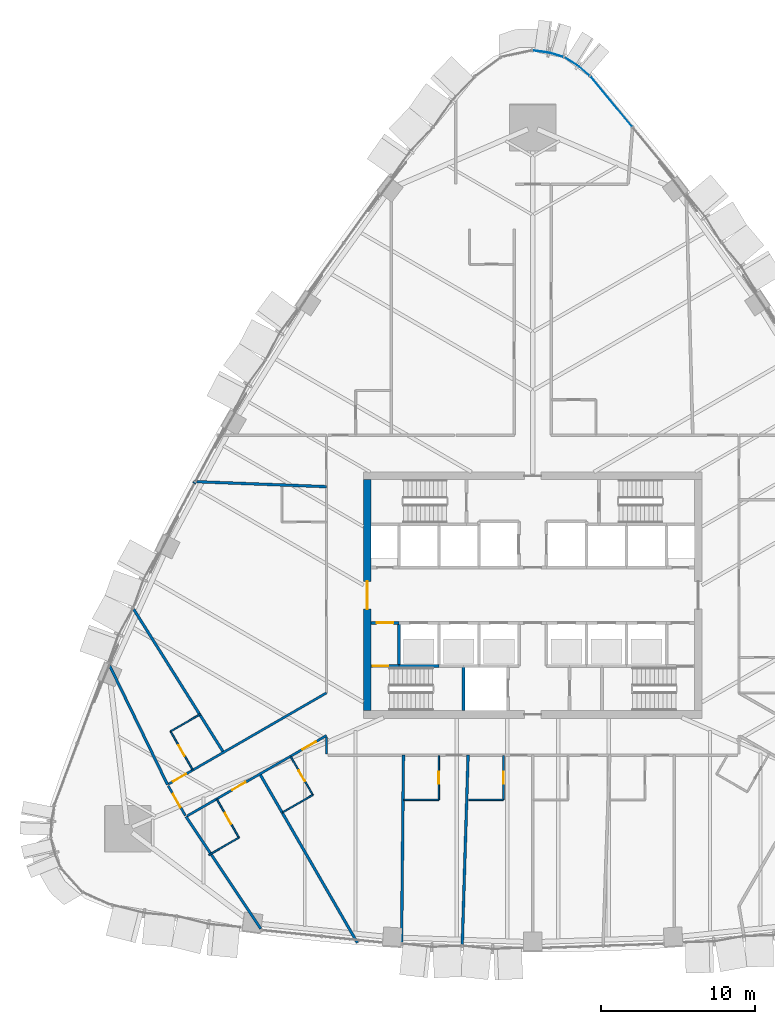
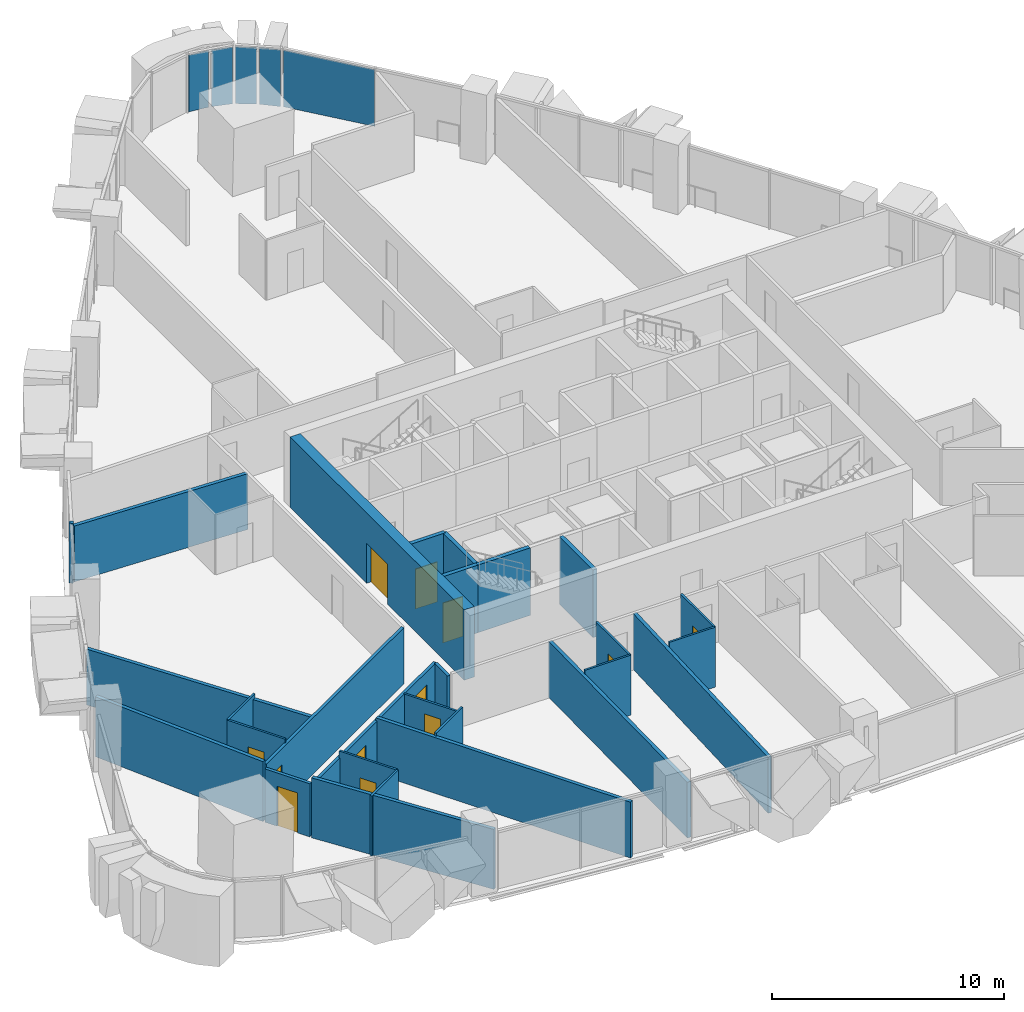
# One storey, part 11 of 19: 28 walls, 12 doors, 5 plates, 12 openings, 3 elements without a shape of their own.
"""IFC4 building model written with IfcOpenShell, lengths in metres."""

from ifc_helpers import new_model, si_unit, direction, frame, frame_2d, origin, origin_2d, place, context, subcontext, project, spatial, polyline, rectangle, outline, extrude, material, layer, layer_set, type_object, element, fill, aggregate, save


model = new_model("IFC4")

# Units and contexts
model_context = context("Model", 3, precision=1e-05, world=origin(), true_north=direction((0.0, 1.0)))
body_context = subcontext(model_context, "Body", "Model", "MODEL_VIEW")
ifc_project = project(units=[si_unit("LENGTHUNIT", "METRE"), si_unit("AREAUNIT", "SQUARE_METRE"), si_unit("VOLUMEUNIT", "CUBIC_METRE"), si_unit("PLANEANGLEUNIT", "RADIAN"), si_unit("MASSUNIT", "GRAM", prefix="KILO")], contexts=[model_context])

# Site, building, storey
site_placement = place(None, origin())
site = spatial("IfcSite", under=ifc_project, at=site_placement, CompositionType="ELEMENT")
building_placement = place(site_placement, origin())
building = spatial("IfcBuilding", under=site, at=building_placement, Name="Sierra Prisma Convention Tower", CompositionType="ELEMENT")
storey_placement = place(building_placement, frame((0.0, 0.0, 77.60009765625)))
storey = spatial("IfcBuildingStorey", under=building, at=storey_placement, Name="L15", CompositionType="ELEMENT", Elevation=77.60009765625)

# Curtain wall, plate
ifc_material_1 = material(Name="Aluminium and glass curtain wall", Category="aluminium")
ifc_layer_1 = layer(ifc_material_1, 0.179931640625)
ifc_layer_set_1 = layer_set([ifc_layer_1], Name="CW-1 Plain shaft curtain wall")
curtain_wall_type_1 = type_object("IfcCurtainWallType", Name="CW-1 Plain shaft curtain wall", PredefinedType="NOTDEFINED", material=ifc_layer_set_1)
curtain_wall_1_placement = place(storey_placement, origin())
curtain_wall_1 = element("IfcCurtainWall", 1, at=curtain_wall_1_placement, inside=storey, type_object=curtain_wall_type_1, Name="CW-1 NE6 L15", PredefinedType="NOTDEFINED")
ifc_material_2 = material(Name="Tinted glass bronze-grey IGU", Category="glass")
ifc_layer_2 = layer(ifc_material_2, 0.028076171875)
ifc_layer_set_2 = layer_set([ifc_layer_2], Name="CW-1 glass panel")
plate_type_1 = type_object("IfcPlateType", Name="CW-1 glass panel", PredefinedType="CURTAIN_PANEL", material=ifc_layer_set_2)
plate_1_placement = place(storey_placement, frame((5.130615234375, 32.053955078125, 0.0), z_axis=(0.0, 0.0, 1.0), x_axis=(-0.635925807902, 0.771750197178, 0.0)))
plate_1 = element("IfcPlate", 2, at=plate_1_placement, type_object=plate_type_1, Name="CW-1 panel NE6.2", PredefinedType="CURTAIN_PANEL", context=body_context, shape_type="SweptSolid", body=[
    extrude(rectangle(XDim=4.181640625, YDim=0.028076171875, at=origin_2d()), origin(), (0.0, 0.0, 1.0), 2.97998046875),
])
aggregate(curtain_wall_1, [plate_1])

# Curtain wall, plates
ifc_material_3 = material(Name="Aluminium and glass curtain wall", Category="aluminium")
ifc_layer_3 = layer(ifc_material_3, 0.179931640625)
ifc_layer_set_3 = layer_set([ifc_layer_3], Name="CW-2 Faceted crystal curtain wall")
curtain_wall_type_2 = type_object("IfcCurtainWallType", Name="CW-2 Faceted crystal curtain wall", PredefinedType="NOTDEFINED", material=ifc_layer_set_3)
curtain_wall_2_placement = place(storey_placement, origin())
curtain_wall_2 = element("IfcCurtainWall", 3, at=curtain_wall_2_placement, inside=storey, type_object=curtain_wall_type_2, Name="CW-2 N1 L15", PredefinedType="NOTDEFINED")
ifc_material_4 = material(Name="Tinted glass bronze-grey IGU", Category="glass")
ifc_layer_4 = layer(ifc_material_4, 0.028076171875)
ifc_layer_set_4 = layer_set([ifc_layer_4], Name="CW-2 crystal pane")
plate_type_2 = type_object("IfcPlateType", Name="CW-2 crystal pane", PredefinedType="CURTAIN_PANEL", material=ifc_layer_set_4)
plate_2_placement = place(storey_placement, frame((3.7001953125, 33.762939453125, 0.0), z_axis=(0.655575429466, 0.755129695007, 0.0), x_axis=(-0.755129695007, 0.655575429466, 0.0)))
plate_2 = element("IfcPlate", 4, at=plate_2_placement, type_object=plate_type_2, Name="CW-2 pane N1.1.1", PredefinedType="CURTAIN_PANEL", context=body_context, shape_type="SweptSolid", body=[
    extrude(outline(polyline([(0.0, 0.0), (0.9220787728310765, 0.0), (0.9220787728310765, 2.97998046875), (0.0, 2.97998046875), (0.0, 0.0)])), origin(), (0.0, 0.0, -1.0), 0.028076171875),
])
plate_3_placement = place(storey_placement, frame((2.1171875, 34.9326171875, 0.0), z_axis=(0.529213419297, 0.848488748798, 0.0), x_axis=(0.848488748798, -0.529213419297, 0.0)))
plate_3 = element("IfcPlate", 5, at=plate_3_placement, type_object=plate_type_2, Name="CW-2 pane N1.1.2", PredefinedType="CURTAIN_PANEL", context=body_context, shape_type="SweptSolid", body=[
    extrude(outline(polyline([(0.0, 0.0), (0.9221933752614131, 0.0), (0.9221933752614131, -2.97998046875), (0.0, -2.97998046875), (0.0, 0.0)])), origin(), (0.0, 0.0, -1.0), 0.028076171875),
])
aggregate(curtain_wall_2, [plate_2, plate_3])

curtain_wall_3_placement = place(storey_placement, origin())
curtain_wall_3 = element("IfcCurtainWall", 6, at=curtain_wall_3_placement, inside=storey, type_object=curtain_wall_type_2, Name="CW-2 N2 L15", PredefinedType="NOTDEFINED")
plate_4_placement = place(storey_placement, frame((1.99267578125, 34.989013671875, 0.0), z_axis=(0.286449099064, 0.958095461656, 0.0), x_axis=(-0.958095461656, 0.286449099064, 0.0)))
plate_4 = element("IfcPlate", 7, at=plate_4_placement, type_object=plate_type_2, Name="CW-2 pane N2.1.1", PredefinedType="CURTAIN_PANEL", context=body_context, shape_type="SweptSolid", body=[
    extrude(outline(polyline([(0.0, 0.0), (0.9221888185838758, 0.0), (0.9221888185838758, 2.97998046875), (0.0, 2.97998046875), (0.0, 0.0)])), origin(), (0.0, 0.0, -1.0), 0.028076171875),
])
plate_5_placement = place(storey_placement, frame((0.068359375, 35.4033203125, 0.0), z_axis=(0.13315200345, 0.991095628069, 0.0), x_axis=(0.991095628069, -0.13315200345, 0.0)))
plate_5 = element("IfcPlate", 8, at=plate_5_placement, type_object=plate_type_2, Name="CW-2 pane N2.1.2", PredefinedType="CURTAIN_PANEL", context=body_context, shape_type="SweptSolid", body=[
    extrude(outline(polyline([(0.0, 0.0), (0.9222747776428817, 0.0), (0.9222747776428817, -2.97998046875), (0.0, -2.97998046875), (0.0, 0.0)])), origin(), (0.0, 0.0, -1.0), 0.028076171875),
])
aggregate(curtain_wall_3, [plate_4, plate_5])

# Wall, opening, door
ifc_material_5 = material(Name="Gypsum board partition", Category="gypsum")
ifc_layer_5 = layer(ifc_material_5, 0.10009765625)
ifc_layer_set_5 = layer_set([ifc_layer_5], Name="Bathroom partition 100")
wall_type_1 = type_object("IfcWallType", Name="Bathroom partition 100", PredefinedType="PARTITIONING", material=ifc_layer_set_5)
wall_1_placement = place(storey_placement, frame((-22.101806640625, -11.34033203125, 0.0), z_axis=(0.0, 0.0, 1.0), x_axis=(-0.499999802827, 0.866025517622, 0.0)))
wall_1 = element("IfcWall", 9, at=wall_1_placement, inside=storey, type_object=wall_type_1, Name="Partition L15 bath 1", PredefinedType="PARTITIONING", context=body_context, shape_type="SweptSolid", body=[
    extrude(rectangle(XDim=2.8701171875, YDim=0.10009765625, at=frame_2d((1.43505859375, 0.0))), origin(), (0.0, 0.0, 1.0), 3.14990234375),
])
opening_1_placement = place(wall_1_placement, frame((1.034912109375, 0.0, 0.0)))
opening_1 = element("IfcOpeningElement", 10, at=opening_1_placement, cuts=wall_1, Name="Opening L15-D006", PredefinedType="OPENING", context=body_context, shape_type="SweptSolid", body=[
    extrude(rectangle(XDim=0.800048828125, YDim=2.10009765625, at=frame_2d((0.39990234375, 1.050048828125))), frame((0.0, 0.050048828125, 0.0), z_axis=(0.0, -1.0, 0.0), x_axis=(1.0, 0.0, 0.0)), (0.0, 0.0, 1.0), 0.10009765625),
])
ifc_material_6 = material(Name="Solid core timber door leaf", Category="wood")
door_type_1 = type_object("IfcDoorType", Name="Door 800x2100 plain", OperationType="SINGLE_SWING_LEFT", PredefinedType="DOOR", material=ifc_material_6)
door_1_placement = place(opening_1_placement, origin())
door_1 = element("IfcDoor", 11, at=door_1_placement, inside=storey, type_object=door_type_1, Name="Door L15 16", OperationType="SINGLE_SWING_LEFT", OverallHeight=2.10009765625, OverallWidth=0.800048828125, PredefinedType="DOOR", context=body_context, shape_type="SweptSolid", body=[
    extrude(rectangle(XDim=0.800048828125, YDim=2.10009765625, at=frame_2d((0.39990234375, 1.050048828125))), frame((0.0, 0.02490234375, 0.0), z_axis=(0.0, -1.0, 0.0), x_axis=(1.0, 0.0, 0.0)), (0.0, 0.0, 1.0), 0.050048828125),
])
fill(opening_1, door_1)

# Wall
wall_2_placement = place(storey_placement, frame((-23.536865234375, -8.854736328125, 0.0), z_axis=(0.0, 0.0, 1.0), x_axis=(0.866017224141, 0.500014167291, 0.0)))
element("IfcWall", 12, at=wall_2_placement, inside=storey, type_object=wall_type_1, Name="Partition L15 bath 2", PredefinedType="PARTITIONING", context=body_context, shape_type="SweptSolid", body=[
    extrude(rectangle(XDim=2.27001953125, YDim=0.10009765625, at=frame_2d((1.135009765625, 0.0))), origin(), (0.0, 0.0, 1.0), 3.14990234375),
])

# Wall, opening, door
wall_3_placement = place(storey_placement, frame((-20.525390625, -13.270751953125, 0.0), z_axis=(0.0, 0.0, 1.0), x_axis=(0.499972835562, -0.866041086612, 0.0)))
wall_3 = element("IfcWall", 13, at=wall_3_placement, inside=storey, type_object=wall_type_1, Name="Partition L15 bath 3", PredefinedType="PARTITIONING", context=body_context, shape_type="SweptSolid", body=[
    extrude(rectangle(XDim=2.869873046875, YDim=0.10009765625, at=frame_2d((1.43505859375, 0.0))), origin(), (0.0, 0.0, 1.0), 3.14990234375),
])
opening_2_placement = place(wall_3_placement, frame((1.034912109375, 0.0, 0.0)))
opening_2 = element("IfcOpeningElement", 14, at=opening_2_placement, cuts=wall_3, Name="Opening L15-D007", PredefinedType="OPENING", context=body_context, shape_type="SweptSolid", body=[
    extrude(rectangle(XDim=0.800048828125, YDim=2.10009765625, at=frame_2d((0.39990234375, 1.050048828125))), frame((0.0, 0.050048828125, 0.0), z_axis=(0.0, -1.0, 0.0), x_axis=(1.0, 0.0, 0.0)), (0.0, 0.0, 1.0), 0.10009765625),
])
door_2_placement = place(opening_2_placement, origin())
door_2 = element("IfcDoor", 15, at=door_2_placement, inside=storey, type_object=door_type_1, Name="Door L15 19", OperationType="SINGLE_SWING_RIGHT", OverallHeight=2.10009765625, OverallWidth=0.800048828125, PredefinedType="DOOR", context=body_context, shape_type="SweptSolid", body=[
    extrude(rectangle(XDim=0.800048828125, YDim=2.10009765625, at=frame_2d((0.39990234375, 1.050048828125))), frame((0.0, 0.02490234375, 0.0), z_axis=(0.0, -1.0, 0.0), x_axis=(1.0, 0.0, 0.0)), (0.0, 0.0, 1.0), 0.050048828125),
])
fill(opening_2, door_2)

# Wall
wall_4_placement = place(storey_placement, frame((-19.090576171875, -15.756103515625, 0.0), z_axis=(0.0, 0.0, 1.0), x_axis=(-0.866017224141, -0.500014167291, 0.0)))
element("IfcWall", 16, at=wall_4_placement, inside=storey, type_object=wall_type_1, Name="Partition L15 bath 4", PredefinedType="PARTITIONING", context=body_context, shape_type="SweptSolid", body=[
    extrude(rectangle(XDim=2.27001953125, YDim=0.10009765625, at=frame_2d((1.135009765625, 0.0))), origin(), (0.0, 0.0, 1.0), 3.14990234375),
])

# Wall, opening, door
wall_5_placement = place(storey_placement, frame((-15.723388671875, -10.498046875, 0.0), z_axis=(0.0, 0.0, 1.0), x_axis=(0.499999802827, -0.866025517622, 0.0)))
wall_5 = element("IfcWall", 17, at=wall_5_placement, inside=storey, type_object=wall_type_1, Name="Partition L15 bath 7", PredefinedType="PARTITIONING", context=body_context, shape_type="SweptSolid", body=[
    extrude(rectangle(XDim=2.8701171875, YDim=0.10009765625, at=frame_2d((1.43505859375, 0.0))), origin(), (0.0, 0.0, 1.0), 2.796875),
])
opening_3_placement = place(wall_5_placement, frame((1.034912109375, 0.0, 0.0)))
opening_3 = element("IfcOpeningElement", 18, at=opening_3_placement, cuts=wall_5, Name="Opening L15-D008", PredefinedType="OPENING", context=body_context, shape_type="SweptSolid", body=[
    extrude(rectangle(XDim=0.800048828125, YDim=2.10009765625, at=frame_2d((0.39990234375, 1.050048828125))), frame((0.0, 0.050048828125, 0.0), z_axis=(0.0, -1.0, 0.0), x_axis=(1.0, 0.0, 0.0)), (0.0, 0.0, 1.0), 0.10009765625),
])
door_3_placement = place(opening_3_placement, origin())
door_3 = element("IfcDoor", 19, at=door_3_placement, inside=storey, type_object=door_type_1, Name="Door L15 21", OperationType="SINGLE_SWING_LEFT", OverallHeight=2.10009765625, OverallWidth=0.800048828125, PredefinedType="DOOR", context=body_context, shape_type="SweptSolid", body=[
    extrude(rectangle(XDim=0.800048828125, YDim=2.10009765625, at=frame_2d((0.39990234375, 1.050048828125))), frame((0.0, 0.02490234375, 0.0), z_axis=(0.0, -1.0, 0.0), x_axis=(1.0, 0.0, 0.0)), (0.0, 0.0, 1.0), 0.050048828125),
])
fill(opening_3, door_3)

# Wall
wall_6_placement = place(storey_placement, frame((-14.288330078125, -12.983642578125, 0.0), z_axis=(0.0, 0.0, 1.0), x_axis=(-0.866017224141, -0.500014167291, 0.0)))
element("IfcWall", 20, at=wall_6_placement, inside=storey, type_object=wall_type_1, Name="Partition L15 bath 8", PredefinedType="PARTITIONING", context=body_context, shape_type="SweptSolid", body=[
    extrude(rectangle(XDim=2.27001953125, YDim=0.10009765625, at=frame_2d((1.135009765625, 0.0))), origin(), (0.0, 0.0, 1.0), 3.093017578125),
])

# Wall, opening, door
wall_7_placement = place(storey_placement, frame((-6.10009765625, -10.429931640625, 0.0), z_axis=(0.0, 0.0, 1.0), x_axis=(0.0, -1.0, 0.0)))
wall_7 = element("IfcWall", 21, at=wall_7_placement, inside=storey, type_object=wall_type_1, Name="Partition L15 bath 11", PredefinedType="PARTITIONING", context=body_context, shape_type="SweptSolid", body=[
    extrude(rectangle(XDim=2.8701171875, YDim=0.10009765625, at=frame_2d((1.43505859375, 0.0))), origin(), (0.0, 0.0, 1.0), 3.14990234375),
])
opening_4_placement = place(wall_7_placement, frame((1.034912109375, 0.0, 0.0)))
opening_4 = element("IfcOpeningElement", 22, at=opening_4_placement, cuts=wall_7, Name="Opening L15-D009", PredefinedType="OPENING", context=body_context, shape_type="SweptSolid", body=[
    extrude(rectangle(XDim=0.800048828125, YDim=2.10009765625, at=frame_2d((0.39990234375, 1.050048828125))), frame((0.0, 0.050048828125, 0.0), z_axis=(0.0, -1.0, 0.0), x_axis=(1.0, 0.0, 0.0)), (0.0, 0.0, 1.0), 0.10009765625),
])
door_4_placement = place(opening_4_placement, origin())
door_4 = element("IfcDoor", 23, at=door_4_placement, inside=storey, type_object=door_type_1, Name="Door L15 23", OperationType="SINGLE_SWING_RIGHT", OverallHeight=2.10009765625, OverallWidth=0.800048828125, PredefinedType="DOOR", context=body_context, shape_type="SweptSolid", body=[
    extrude(rectangle(XDim=0.800048828125, YDim=2.10009765625, at=frame_2d((0.39990234375, 1.050048828125))), frame((0.0, 0.02490234375, 0.0), z_axis=(0.0, -1.0, 0.0), x_axis=(1.0, 0.0, 0.0)), (0.0, 0.0, 1.0), 0.050048828125),
])
fill(opening_4, door_4)

# Wall
wall_8_placement = place(storey_placement, frame((-6.10009765625, -13.300048828125, 0.0), z_axis=(0.0, 0.0, 1.0), x_axis=(-1.0, 0.0, 0.0)))
element("IfcWall", 24, at=wall_8_placement, inside=storey, type_object=wall_type_1, Name="Partition L15 bath 12", PredefinedType="PARTITIONING", context=body_context, shape_type="SweptSolid", body=[
    extrude(rectangle(XDim=2.27001953125, YDim=0.10009765625, at=frame_2d((1.135009765625, 0.0))), origin(), (0.0, 0.0, 1.0), 3.14990234375),
])

# Wall, opening, door
wall_9_placement = place(storey_placement, frame((-1.89990234375, -10.429931640625, 0.0), z_axis=(0.0, 0.0, 1.0), x_axis=(0.0, -1.0, 0.0)))
wall_9 = element("IfcWall", 25, at=wall_9_placement, inside=storey, type_object=wall_type_1, Name="Partition L15 bath 13", PredefinedType="PARTITIONING", context=body_context, shape_type="SweptSolid", body=[
    extrude(rectangle(XDim=2.8701171875, YDim=0.10009765625, at=frame_2d((1.43505859375, 0.0))), origin(), (0.0, 0.0, 1.0), 3.14990234375),
])
opening_5_placement = place(wall_9_placement, frame((1.034912109375, 0.0, 0.0)))
opening_5 = element("IfcOpeningElement", 26, at=opening_5_placement, cuts=wall_9, Name="Opening L15-D010", PredefinedType="OPENING", context=body_context, shape_type="SweptSolid", body=[
    extrude(rectangle(XDim=0.800048828125, YDim=2.10009765625, at=frame_2d((0.39990234375, 1.050048828125))), frame((0.0, 0.050048828125, 0.0), z_axis=(0.0, -1.0, 0.0), x_axis=(1.0, 0.0, 0.0)), (0.0, 0.0, 1.0), 0.10009765625),
])
door_5_placement = place(opening_5_placement, origin())
door_5 = element("IfcDoor", 27, at=door_5_placement, inside=storey, type_object=door_type_1, Name="Door L15 25", OperationType="SINGLE_SWING_LEFT", OverallHeight=2.10009765625, OverallWidth=0.800048828125, PredefinedType="DOOR", context=body_context, shape_type="SweptSolid", body=[
    extrude(rectangle(XDim=0.800048828125, YDim=2.10009765625, at=frame_2d((0.39990234375, 1.050048828125))), frame((0.0, 0.02490234375, 0.0), z_axis=(0.0, -1.0, 0.0), x_axis=(1.0, 0.0, 0.0)), (0.0, 0.0, 1.0), 0.050048828125),
])
fill(opening_5, door_5)

# Wall
wall_10_placement = place(storey_placement, frame((-1.89990234375, -13.300048828125, 0.0), z_axis=(0.0, 0.0, 1.0), x_axis=(-1.0, 0.0, 0.0)))
element("IfcWall", 28, at=wall_10_placement, inside=storey, type_object=wall_type_1, Name="Partition L15 bath 14", PredefinedType="PARTITIONING", context=body_context, shape_type="SweptSolid", body=[
    extrude(rectangle(XDim=2.27001953125, YDim=0.10009765625, at=frame_2d((1.135009765625, 0.0))), origin(), (0.0, 0.0, 1.0), 3.14990234375),
])

# Wall, opening, door
ifc_material_7 = material(Name="Concrete C30/37", Category="concrete")
ifc_layer_6 = layer(ifc_material_7, 0.199951171875)
ifc_layer_set_6 = layer_set([ifc_layer_6], Name="Core wall RC 200 C30/37")
wall_type_2 = type_object("IfcWallType", Name="Core wall RC 200 C30/37", PredefinedType="SOLIDWALL", material=ifc_layer_set_6)
wall_11_placement = place(storey_placement, frame((-10.5, -4.60009765625, 0.0), z_axis=(0.0, 0.0, 1.0), x_axis=(1.0, 0.0, 0.0)))
wall_11 = element("IfcWall", 29, at=wall_11_placement, inside=storey, type_object=wall_type_2, Name="Core wall L15 1", PredefinedType="SOLIDWALL", context=body_context, shape_type="SweptSolid", body=[
    extrude(rectangle(XDim=1.800048828125, YDim=0.199951171875, at=frame_2d((0.89990234375, 0.0))), origin(), (0.0, 0.0, 1.0), 3.5498046875),
])
opening_6_placement = place(wall_11_placement, frame((0.10009765625, 0.0, 0.0)))
opening_6 = element("IfcOpeningElement", 30, at=opening_6_placement, cuts=wall_11, Name="Opening L15-D031", PredefinedType="OPENING", context=body_context, shape_type="SweptSolid", body=[
    extrude(rectangle(XDim=1.0, YDim=2.10009765625, at=frame_2d((0.5, 1.050048828125))), frame((0.0, 0.10009765625, 0.0), z_axis=(0.0, -1.0, 0.0), x_axis=(1.0, 0.0, 0.0)), (0.0, 0.0, 1.0), 0.199951171875),
])
ifc_material_8 = material(Name="Steel fire door leaf", Category="steel")
door_type_2 = type_object("IfcDoorType", Name="Door 1000x2100 FD90S", OperationType="SINGLE_SWING_LEFT", PredefinedType="DOOR", material=ifc_material_8)
door_6_placement = place(opening_6_placement, origin())
door_6 = element("IfcDoor", 31, at=door_6_placement, inside=storey, type_object=door_type_2, Name="Door L15 53", OperationType="SINGLE_SWING_LEFT", OverallHeight=2.10009765625, OverallWidth=1.0, PredefinedType="DOOR", context=body_context, shape_type="SweptSolid", body=[
    extrude(rectangle(XDim=1.0, YDim=2.10009765625, at=frame_2d((0.5, 1.050048828125))), frame((0.0, 0.02490234375, 0.0), z_axis=(0.0, -1.0, 0.0), x_axis=(1.0, 0.0, 0.0)), (0.0, 0.0, 1.0), 0.050048828125),
])
fill(opening_6, door_6)

wall_12_placement = place(storey_placement, frame((-10.5, -1.800048828125, 0.0), z_axis=(0.0, 0.0, 1.0), x_axis=(1.0, 0.0, 0.0)))
wall_12 = element("IfcWall", 32, at=wall_12_placement, inside=storey, type_object=wall_type_2, Name="Core wall L15 2", PredefinedType="SOLIDWALL", context=body_context, shape_type="SweptSolid", body=[
    extrude(rectangle(XDim=1.800048828125, YDim=0.199951171875, at=frame_2d((0.89990234375, 0.0))), origin(), (0.0, 0.0, 1.0), 3.5498046875),
])
opening_7_placement = place(wall_12_placement, frame((0.35009765625, 0.0, 0.0)))
opening_7 = element("IfcOpeningElement", 33, at=opening_7_placement, cuts=wall_12, Name="Opening L15-D025", PredefinedType="OPENING", context=body_context, shape_type="SweptSolid", body=[
    extrude(rectangle(XDim=1.10009765625, YDim=2.10009765625, at=frame_2d((0.550048828125, 1.050048828125))), frame((0.0, 0.10009765625, 0.0), z_axis=(0.0, -1.0, 0.0), x_axis=(1.0, 0.0, 0.0)), (0.0, 0.0, 1.0), 0.199951171875),
])
ifc_material_9 = material(Name="Steel fire door leaf", Category="steel")
door_type_3 = type_object("IfcDoorType", Name="Door 1100x2100 FD90S", OperationType="SINGLE_SWING_LEFT", PredefinedType="DOOR", material=ifc_material_9)
door_7_placement = place(opening_7_placement, origin())
door_7 = element("IfcDoor", 34, at=door_7_placement, inside=storey, type_object=door_type_3, Name="Door L15 47", OperationType="SINGLE_SWING_LEFT", OverallHeight=2.10009765625, OverallWidth=1.10009765625, PredefinedType="DOOR", context=body_context, shape_type="SweptSolid", body=[
    extrude(rectangle(XDim=1.10009765625, YDim=2.10009765625, at=frame_2d((0.550048828125, 1.050048828125))), frame((0.0, 0.02490234375, 0.0), z_axis=(0.0, -1.0, 0.0), x_axis=(1.0, 0.0, 0.0)), (0.0, 0.0, 1.0), 0.050048828125),
])
fill(opening_7, door_7)

# Walls
wall_13_placement = place(storey_placement, frame((-8.699951171875, -4.60009765625, 0.0), z_axis=(0.0, 0.0, 1.0), x_axis=(1.0, 0.0, 0.0)))
element("IfcWall", 35, at=wall_13_placement, inside=storey, type_object=wall_type_2, Name="Core wall L15 5", PredefinedType="SOLIDWALL", context=body_context, shape_type="SweptSolid", body=[
    extrude(rectangle(XDim=2.599853515625, YDim=0.199951171875, at=frame_2d((1.2998046875, 0.0))), origin(), (0.0, 0.0, 1.0), 3.5498046875),
])
wall_14_placement = place(storey_placement, frame((-8.699951171875, -4.60009765625, 0.0), z_axis=(0.0, 0.0, 1.0), x_axis=(0.0, 1.0, 0.0)))
element("IfcWall", 36, at=wall_14_placement, inside=storey, type_object=wall_type_2, Name="Core wall L15 6", PredefinedType="SOLIDWALL", context=body_context, shape_type="SweptSolid", body=[
    extrude(rectangle(XDim=2.800048828125, YDim=0.199951171875, at=frame_2d((1.39990234375, 0.0))), origin(), (0.0, 0.0, 1.0), 3.5498046875),
])
wall_15_placement = place(storey_placement, frame((-4.5, -4.60009765625, 0.0), z_axis=(0.0, 0.0, 1.0), x_axis=(0.0, -1.0, 0.0)))
element("IfcWall", 37, at=wall_15_placement, inside=storey, type_object=wall_type_2, Name="Core wall L15 17", PredefinedType="SOLIDWALL", context=body_context, shape_type="SweptSolid", body=[
    extrude(rectangle(XDim=2.89990234375, YDim=0.199951171875, at=frame_2d((1.449951171875, 0.0))), origin(), (0.0, 0.0, 1.0), 3.5498046875),
])

# Wall, opening, door
ifc_material_10 = material(Name="Concrete C60/75", Category="concrete")
ifc_layer_7 = layer(ifc_material_10, 0.5)
ifc_layer_set_7 = layer_set([ifc_layer_7], Name="Core wall RC 500 C60/75")
wall_type_3 = type_object("IfcWallType", Name="Core wall RC 500 C60/75", PredefinedType="SHEAR", material=ifc_layer_set_7)
wall_16_placement = place(storey_placement, frame((-10.75, -7.5, 0.0), z_axis=(0.0, 0.0, 1.0), x_axis=(0.0, 1.0, 0.0)))
wall_16 = element("IfcWall", 38, at=wall_16_placement, inside=storey, type_object=wall_type_3, Name="Core wall W L15", PredefinedType="SHEAR", context=body_context, shape_type="SweptSolid", body=[
    extrude(rectangle(XDim=15.0, YDim=0.5, at=frame_2d((7.5, 0.0))), origin(), (0.0, 0.0, 1.0), 3.699951171875),
])
opening_8_placement = place(wall_16_placement, frame((6.60009765625, 0.0, 0.0)))
opening_8 = element("IfcOpeningElement", 39, at=opening_8_placement, cuts=wall_16, Name="Opening L15-D061", PredefinedType="OPENING", context=body_context, shape_type="SweptSolid", body=[
    extrude(rectangle(XDim=1.800048828125, YDim=2.10009765625, at=frame_2d((0.89990234375, 1.050048828125))), frame((0.0, 0.25, 0.0), z_axis=(0.0, -1.0, 0.0), x_axis=(1.0, 0.0, 0.0)), (0.0, 0.0, 1.0), 0.5),
])
ifc_material_11 = material(Name="Steel fire door leaf", Category="steel")
door_type_4 = type_object("IfcDoorType", Name="Door 1800x2100 FD60S", OperationType="DOUBLE_DOOR_SINGLE_SWING", PredefinedType="DOOR", material=ifc_material_11)
door_8_placement = place(opening_8_placement, origin())
door_8 = element("IfcDoor", 40, at=door_8_placement, inside=storey, type_object=door_type_4, Name="Door L15 58", OperationType="DOUBLE_DOOR_SINGLE_SWING", OverallHeight=2.10009765625, OverallWidth=1.800048828125, PredefinedType="DOOR", context=body_context, shape_type="SweptSolid", body=[
    extrude(rectangle(XDim=1.800048828125, YDim=2.10009765625, at=frame_2d((0.89990234375, 1.050048828125))), frame((0.0, 0.02490234375, 0.0), z_axis=(0.0, -1.0, 0.0), x_axis=(1.0, 0.0, 0.0)), (0.0, 0.0, 1.0), 0.050048828125),
])
fill(opening_8, door_8)

ifc_material_12 = material(Name="Gypsum board partition", Category="gypsum")
ifc_layer_8 = layer(ifc_material_12, 0.14990234375)
ifc_layer_set_8 = layer_set([ifc_layer_8], Name="Corridor wall 150 gypsum EI 60")
wall_type_4 = type_object("IfcWallType", Name="Corridor wall 150 gypsum EI 60", PredefinedType="PARTITIONING", material=ifc_layer_set_8)
wall_17_placement = place(storey_placement, frame((-23.6923828125, -12.385498046875, 0.0), z_axis=(0.0, 0.0, 1.0), x_axis=(0.49994888933, -0.866054910533, 0.0)))
wall_17 = element("IfcWall", 41, at=wall_17_placement, inside=storey, type_object=wall_type_4, Name="Partition L15 corr 1", PredefinedType="PARTITIONING", context=body_context, shape_type="SweptSolid", body=[
    extrude(rectangle(XDim=2.239990234375, YDim=0.14990234375, at=frame_2d((1.1201171875, 0.0))), origin(), (0.0, 0.0, 1.0), 2.796875),
])
opening_9_placement = place(wall_17_placement, frame((0.6201171875, 0.0, 0.0)))
opening_9 = element("IfcOpeningElement", 42, at=opening_9_placement, cuts=wall_17, Name="Opening L15-D046", PredefinedType="OPENING", context=body_context, shape_type="SweptSolid", body=[
    extrude(rectangle(XDim=1.0, YDim=2.10009765625, at=frame_2d((0.5, 1.050048828125))), frame((0.0, 0.074951171875, 0.0), z_axis=(0.0, -1.0, 0.0), x_axis=(1.0, 0.0, 0.0)), (0.0, 0.0, 1.0), 0.14990234375),
])
ifc_material_13 = material(Name="Steel fire door leaf", Category="steel")
door_type_5 = type_object("IfcDoorType", Name="Door 1000x2100 FD30S", OperationType="SINGLE_SWING_LEFT", PredefinedType="DOOR", material=ifc_material_13)
door_9_placement = place(opening_9_placement, origin())
door_9 = element("IfcDoor", 43, at=door_9_placement, inside=storey, type_object=door_type_5, Name="Door L15 17", OperationType="SINGLE_SWING_RIGHT", OverallHeight=2.10009765625, OverallWidth=1.0, PredefinedType="DOOR", context=body_context, shape_type="SweptSolid", body=[
    extrude(rectangle(XDim=1.0, YDim=2.10009765625, at=frame_2d((0.5, 1.050048828125))), frame((0.0, 0.02490234375, 0.0), z_axis=(0.0, -1.0, 0.0), x_axis=(1.0, 0.0, 0.0)), (0.0, 0.0, 1.0), 0.050048828125),
])
fill(opening_9, door_9)

wall_18_placement = place(storey_placement, frame((-13.39990234375, -6.350830078125, 0.0), z_axis=(0.0, 0.0, 1.0), x_axis=(-0.866031207587, -0.499989947384, 0.0)))
wall_18 = element("IfcWall", 44, at=wall_18_placement, inside=storey, type_object=wall_type_4, Name="Partition L15 corr 3", PredefinedType="PARTITIONING", context=body_context, shape_type="SweptSolid", body=[
    extrude(rectangle(XDim=11.850830078125, YDim=0.14990234375, at=frame_2d((5.92529296875, 0.0))), origin(), (0.0, 0.0, 1.0), 2.947021484375),
])
opening_10_placement = place(wall_18_placement, frame((10.53076171875, 0.0, 0.0)))
opening_10 = element("IfcOpeningElement", 45, at=opening_10_placement, cuts=wall_18, Name="Opening L15-D045", PredefinedType="OPENING", context=body_context, shape_type="SweptSolid", body=[
    extrude(rectangle(XDim=1.0, YDim=2.10009765625, at=frame_2d((0.5, 1.050048828125))), frame((0.0, 0.074951171875, 0.0), z_axis=(0.0, -1.0, 0.0), x_axis=(1.0, 0.0, 0.0)), (0.0, 0.0, 1.0), 0.14990234375),
])
door_10_placement = place(opening_10_placement, origin())
door_10 = element("IfcDoor", 46, at=door_10_placement, inside=storey, type_object=door_type_5, Name="Door L15 15", OperationType="SINGLE_SWING_LEFT", OverallHeight=2.10009765625, OverallWidth=1.0, PredefinedType="DOOR", context=body_context, shape_type="SweptSolid", body=[
    extrude(rectangle(XDim=1.0, YDim=2.10009765625, at=frame_2d((0.5, 1.050048828125))), frame((0.0, 0.02490234375, 0.0), z_axis=(0.0, -1.0, 0.0), x_axis=(1.0, 0.0, 0.0)), (0.0, 0.0, 1.0), 0.050048828125),
])
fill(opening_10, door_10)

# Wall, openings, doors
wall_19_placement = place(storey_placement, frame((-22.463134765625, -14.354736328125, 0.0), z_axis=(0.0, 0.0, 1.0), x_axis=(0.86602514158, 0.500000454152, 0.0)))
wall_19 = element("IfcWall", 47, at=wall_19_placement, inside=storey, type_object=wall_type_4, Name="Partition L15 corr 4", PredefinedType="PARTITIONING", context=body_context, shape_type="SweptSolid", body=[
    extrude(rectangle(XDim=10.46533203125, YDim=0.14990234375, at=frame_2d((5.232666015625, 0.0))), origin(), (0.0, 0.0, 1.0), 2.796875),
])
opening_11_placement = place(wall_19_placement, frame((3.392578125, 0.0, 0.0)))
opening_11 = element("IfcOpeningElement", 48, at=opening_11_placement, cuts=wall_19, Name="Opening L15-D047", PredefinedType="OPENING", context=body_context, shape_type="SweptSolid", body=[
    extrude(rectangle(XDim=1.0, YDim=2.10009765625, at=frame_2d((0.5, 1.050048828125))), frame((0.0, 0.074951171875, 0.0), z_axis=(0.0, -1.0, 0.0), x_axis=(1.0, 0.0, 0.0)), (0.0, 0.0, 1.0), 0.14990234375),
])
opening_12_placement = place(wall_19_placement, frame((8.665283203125, 0.0, 0.0)))
opening_12 = element("IfcOpeningElement", 49, at=opening_12_placement, cuts=wall_19, Name="Opening L15-D048", PredefinedType="OPENING", context=body_context, shape_type="SweptSolid", body=[
    extrude(rectangle(XDim=1.0, YDim=2.10009765625, at=frame_2d((0.5, 1.050048828125))), frame((0.0, 0.074951171875, 0.0), z_axis=(0.0, -1.0, 0.0), x_axis=(1.0, 0.0, 0.0)), (0.0, 0.0, 1.0), 0.14990234375),
])
door_11_placement = place(opening_11_placement, origin())
door_11 = element("IfcDoor", 50, at=door_11_placement, inside=storey, type_object=door_type_5, Name="Door L15 18", OperationType="SINGLE_SWING_LEFT", OverallHeight=2.10009765625, OverallWidth=1.0, PredefinedType="DOOR", context=body_context, shape_type="SweptSolid", body=[
    extrude(rectangle(XDim=1.0, YDim=2.10009765625, at=frame_2d((0.5, 1.050048828125))), frame((0.0, 0.02490234375, 0.0), z_axis=(0.0, -1.0, 0.0), x_axis=(1.0, 0.0, 0.0)), (0.0, 0.0, 1.0), 0.050048828125),
])
fill(opening_11, door_11)
door_12_placement = place(opening_12_placement, origin())
door_12 = element("IfcDoor", 51, at=door_12_placement, inside=storey, type_object=door_type_5, Name="Door L15 20", OperationType="SINGLE_SWING_LEFT", OverallHeight=2.10009765625, OverallWidth=1.0, PredefinedType="DOOR", context=body_context, shape_type="SweptSolid", body=[
    extrude(rectangle(XDim=1.0, YDim=2.10009765625, at=frame_2d((0.5, 1.050048828125))), frame((0.0, 0.02490234375, 0.0), z_axis=(0.0, -1.0, 0.0), x_axis=(1.0, 0.0, 0.0)), (0.0, 0.0, 1.0), 0.050048828125),
])
fill(opening_12, door_12)

# Walls
wall_20_placement = place(storey_placement, frame((-13.39990234375, -9.213623046875, 0.0), z_axis=(0.0, 0.0, 1.0), x_axis=(0.0, -1.0, 0.0)))
element("IfcWall", 52, at=wall_20_placement, inside=storey, type_object=wall_type_4, Name="Partition L15 corr 5", PredefinedType="PARTITIONING", context=body_context, shape_type="SweptSolid", body=[
    extrude(rectangle(XDim=1.1064453125, YDim=0.14990234375, at=frame_2d((0.55322265625, 0.0))), origin(), (0.0, 0.0, 1.0), 2.796875),
])
ifc_material_14 = material(Name="Acoustic gypsum board partition", Category="gypsum")
ifc_layer_9 = layer(ifc_material_14, 0.175048828125)
ifc_layer_set_9 = layer_set([ifc_layer_9], Name="Guest room party wall 175 acoustic EI 60")
wall_type_5 = type_object("IfcWallType", Name="Guest room party wall 175 acoustic EI 60", PredefinedType="PARTITIONING", material=ifc_layer_set_9)
wall_21_placement = place(storey_placement, frame((-23.732421875, -12.316162109375, 0.0), z_axis=(0.0, 0.0, 1.0), x_axis=(-0.437347411192, 0.899292634198, 0.0)))
element("IfcWall", 53, at=wall_21_placement, inside=storey, type_object=wall_type_5, Name="Partition L15 hparty 1", PredefinedType="PARTITIONING", context=body_context, shape_type="SweptSolid", body=[
    extrude(rectangle(XDim=8.70458984375, YDim=0.175048828125, at=frame_2d((4.352294921875, 0.0))), origin(), (0.0, 0.0, 1.0), 3.14990234375),
])
wall_22_placement = place(storey_placement, frame((-20.09521484375, -10.21630859375, 0.0), z_axis=(0.0, 0.0, 1.0), x_axis=(-0.531613758333, 0.846986901877, 0.0)))
element("IfcWall", 54, at=wall_22_placement, inside=storey, type_object=wall_type_5, Name="Partition L15 hparty 2", PredefinedType="PARTITIONING", context=body_context, shape_type="SweptSolid", body=[
    extrude(rectangle(XDim=10.97412109375, YDim=0.175048828125, at=frame_2d((5.487060546875, 0.0))), origin(), (0.0, 0.0, 1.0), 2.933837890625),
])
wall_23_placement = place(storey_placement, frame((-17.669189453125, -21.685302734375, 0.0), z_axis=(0.0, 0.0, 1.0), x_axis=(-0.554931610564, 0.83189597162, 0.0)))
element("IfcWall", 55, at=wall_23_placement, inside=storey, type_object=wall_type_5, Name="Partition L15 hparty 3", PredefinedType="PARTITIONING", context=body_context, shape_type="SweptSolid", body=[
    extrude(rectangle(XDim=8.763671875, YDim=0.175048828125, at=frame_2d((4.3818359375, 0.0))), origin(), (0.0, 0.0, 1.0), 3.14990234375),
])
wall_24_placement = place(storey_placement, frame((-21.88916015625, 7.287109375, 0.0), z_axis=(0.0, 0.0, 1.0), x_axis=(-0.779588898124, 0.626291585383, 0.0)))
element("IfcWall", 56, at=wall_24_placement, inside=storey, type_object=wall_type_5, Name="Partition L15 hparty 4", PredefinedType="PARTITIONING", context=body_context, shape_type="SweptSolid", body=[
    extrude(rectangle(XDim=0.186279296875, YDim=0.175048828125, at=frame_2d((0.09326171875, 0.0))), origin(), (0.0, 0.0, 1.0), 3.14990234375),
])
wall_25_placement = place(storey_placement, frame((-21.839111328125, 7.37353515625, 0.0), z_axis=(0.0, 0.0, 1.0), x_axis=(0.999261729628, -0.038418689463, 0.0)))
element("IfcWall", 57, at=wall_25_placement, inside=storey, type_object=wall_type_5, Name="Partition L15 hparty 5", PredefinedType="PARTITIONING", context=body_context, shape_type="SweptSolid", body=[
    extrude(rectangle(XDim=8.445556640625, YDim=0.175048828125, at=frame_2d((4.22265625, 0.0))), origin(), (0.0, 0.0, 1.0), 2.933837890625),
])
wall_26_placement = place(storey_placement, frame((-17.72998046875, -11.6220703125, 0.0), z_axis=(0.0, 0.0, 1.0), x_axis=(0.499984838248, -0.866034157249, 0.0)))
element("IfcWall", 58, at=wall_26_placement, inside=storey, type_object=wall_type_5, Name="Partition L15 hparty 7", PredefinedType="PARTITIONING", context=body_context, shape_type="SweptSolid", body=[
    extrude(rectangle(XDim=12.67236328125, YDim=0.175048828125, at=frame_2d((6.336181640625, 0.0))), origin(), (0.0, 0.0, 1.0), 2.933837890625),
])
wall_27_placement = place(storey_placement, frame((-8.39990234375, -10.39990234375, 0.0), z_axis=(0.0, 0.0, 1.0), x_axis=(-0.010057712495, -0.999949419931, 0.0)))
element("IfcWall", 59, at=wall_27_placement, inside=storey, type_object=wall_type_5, Name="Partition L15 hparty 9", PredefinedType="PARTITIONING", context=body_context, shape_type="SweptSolid", body=[
    extrude(rectangle(XDim=12.161376953125, YDim=0.175048828125, at=frame_2d((6.08056640625, 0.0))), origin(), (0.0, 0.0, 1.0), 2.933837890625),
])
wall_28_placement = place(storey_placement, frame((-4.199951171875, -10.39990234375, 0.0), z_axis=(0.0, 0.0, 1.0), x_axis=(-0.030783045714, -0.999526089753, 0.0)))
element("IfcWall", 60, at=wall_28_placement, inside=storey, type_object=wall_type_5, Name="Partition L15 hparty 11", PredefinedType="PARTITIONING", context=body_context, shape_type="SweptSolid", body=[
    extrude(rectangle(XDim=12.301025390625, YDim=0.175048828125, at=frame_2d((6.150390625, 0.0))), origin(), (0.0, 0.0, 1.0), 2.933837890625),
])

save(model, "model.ifc")
